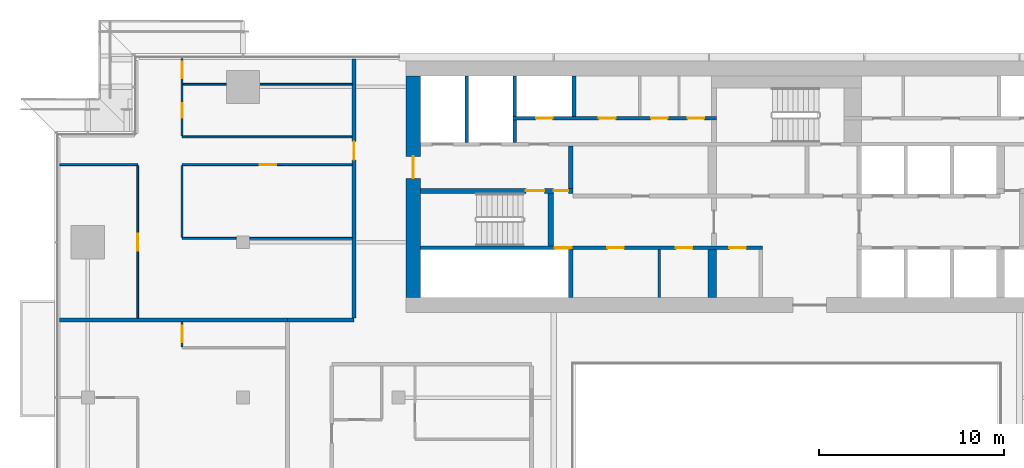
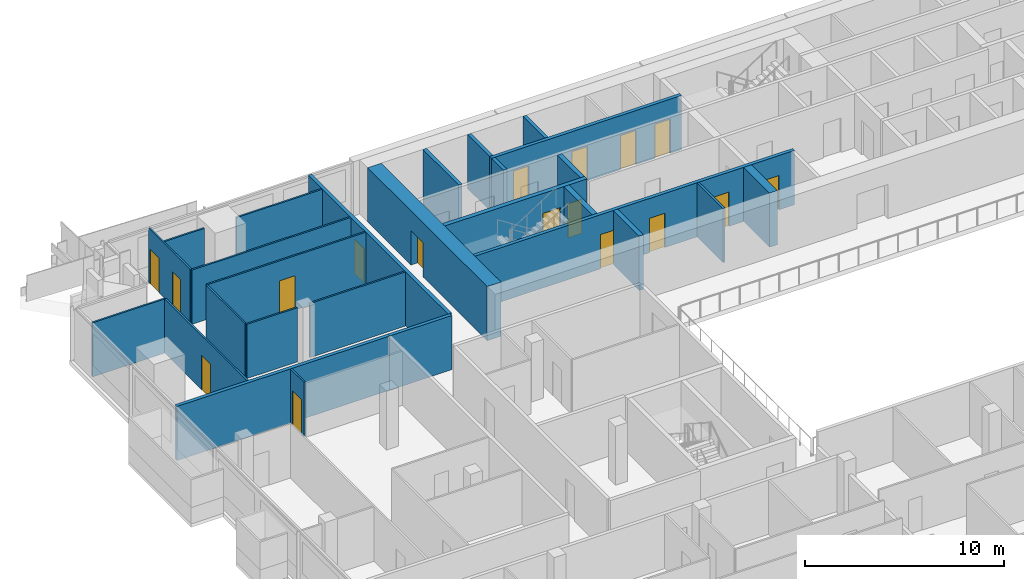
# One storey, part 20 of 30: 27 walls, 17 doors, 17 openings.
"""IFC4 building model written with IfcOpenShell, lengths in metres."""

from ifc_helpers import new_model, si_unit, direction, frame, frame_2d, origin, place, context, subcontext, project, spatial, rectangle, extrude, material, layer, layer_set, type_object, element, fill, save


model = new_model("IFC4")

# Units and contexts
model_context = context("Model", 3, precision=1e-05, world=origin(), true_north=direction((0.0, 1.0)))
body_context = subcontext(model_context, "Body", "Model", "MODEL_VIEW")
ifc_project = project(units=[si_unit("LENGTHUNIT", "METRE"), si_unit("AREAUNIT", "SQUARE_METRE"), si_unit("VOLUMEUNIT", "CUBIC_METRE"), si_unit("PLANEANGLEUNIT", "RADIAN"), si_unit("MASSUNIT", "GRAM", prefix="KILO")], contexts=[model_context])

# Site, building, storey
site_placement = place(None, origin())
site = spatial("IfcSite", under=ifc_project, at=site_placement, CompositionType="ELEMENT")
building_placement = place(site_placement, origin())
building = spatial("IfcBuilding", under=site, at=building_placement, Name="Saffron Gate Tower", CompositionType="ELEMENT")
storey_placement = place(building_placement, frame((0.0, 0.0, 158.25)))
storey = spatial("IfcBuildingStorey", under=building, at=storey_placement, Name="L38", CompositionType="ELEMENT", Elevation=158.25)

# Wall, opening, door
ifc_material_1 = material(Name="Concrete C60", Category="concrete")
ifc_layer_1 = layer(ifc_material_1, 0.800048828125)
ifc_layer_set_1 = layer_set([ifc_layer_1], Name="CW13 RC core wall 800 C60")
wall_type_1 = type_object("IfcWallType", Name="CW13 RC core wall 800 C60", PredefinedType="SOLIDWALL", material=ifc_layer_set_1)
wall_1_placement = place(storey_placement, frame((67.39990234375, 62.39990234375, 0.0), z_axis=(0.0, 0.0, 1.0), x_axis=(0.0, 1.0, 0.0)))
wall_1 = element("IfcWall", 1, at=wall_1_placement, inside=storey, type_object=wall_type_1, Name="Wall CW13-L38-3", PredefinedType="SOLIDWALL", context=body_context, shape_type="SweptSolid", body=[
    extrude(rectangle(XDim=12.0, YDim=0.800048828125, at=frame_2d((6.0, 0.0))), origin(), (0.0, 0.0, 1.0), 3.320068359375),
])
opening_1_placement = place(wall_1_placement, frame((6.449951171875, 0.0, 0.0)))
opening_1 = element("IfcOpeningElement", 2, at=opening_1_placement, cuts=wall_1, Name="Opening CR-10", PredefinedType="OPENING", context=body_context, shape_type="SweptSolid", body=[
    extrude(rectangle(XDim=1.199951171875, YDim=2.10009765625, at=frame_2d((0.60009765625, 1.050048828125))), frame((0.0, 0.41015625, 0.0), z_axis=(0.0, -1.0, 0.0), x_axis=(1.0, 0.0, 0.0)), (0.0, 0.0, 1.0), 0.820068359375),
])
ifc_material_2 = material(Name="Steel fire door set", Category="steel")
door_type_1 = type_object("IfcDoorType", Name="CD7 Core entrance door 1200x2100 EI 120", OperationType="NOTDEFINED", PredefinedType="DOOR", material=ifc_material_2)
door_1_placement = place(opening_1_placement, origin())
door_1 = element("IfcDoor", 3, at=door_1_placement, inside=storey, type_object=door_type_1, Name="DOOR CR-10", OperationType="SINGLE_SWING_LEFT", OverallHeight=2.10009765625, OverallWidth=1.199951171875, PredefinedType="DOOR", context=body_context, shape_type="SweptSolid", body=[
    extrude(rectangle(XDim=1.199951171875, YDim=2.10009765625, at=frame_2d((0.60009765625, 1.050048828125))), frame((0.0, 0.02490234375, 0.0), z_axis=(0.0, -1.0, 0.0), x_axis=(1.0, 0.0, 0.0)), (0.0, 0.0, 1.0), 0.050048828125),
])
fill(opening_1, door_1)

# Wall
ifc_layer_2 = layer(ifc_material_1, 0.25)
ifc_layer_set_2 = layer_set([ifc_layer_2], Name="CW14 RC core wall 250 C60")
wall_type_2 = type_object("IfcWallType", Name="CW14 RC core wall 250 C60", PredefinedType="SOLIDWALL", material=ifc_layer_set_2)
wall_2_placement = place(storey_placement, frame((75.925048828125, 62.39990234375, 0.0), z_axis=(0.0, 0.0, 1.0), x_axis=(0.0, 1.0, 0.0)))
element("IfcWall", 4, at=wall_2_placement, inside=storey, type_object=wall_type_2, Name="Wall CW14-L38-5", PredefinedType="SOLIDWALL", context=body_context, shape_type="SweptSolid", body=[
    extrude(rectangle(XDim=2.60009765625, YDim=0.25, at=frame_2d((1.300048828125, 0.0))), origin(), (0.0, 0.0, 1.0), 3.320068359375),
])

# Wall, openings, doors
wall_3_placement = place(storey_placement, frame((67.800048828125, 68.175048828125, 0.0), z_axis=(0.0, 0.0, 1.0), x_axis=(1.0, 0.0, 0.0)))
wall_3 = element("IfcWall", 5, at=wall_3_placement, inside=storey, type_object=wall_type_2, Name="Wall CW14-L38-26", PredefinedType="SOLIDWALL", context=body_context, shape_type="SweptSolid", body=[
    extrude(rectangle(XDim=8.25, YDim=0.25, at=frame_2d((4.125, 0.0))), origin(), (0.0, 0.0, 1.0), 3.320068359375),
])
opening_2_placement = place(wall_3_placement, frame((5.699951171875, 0.0, 0.0)))
opening_2 = element("IfcOpeningElement", 6, at=opening_2_placement, cuts=wall_3, Name="Opening CR-15", PredefinedType="OPENING", context=body_context, shape_type="SweptSolid", body=[
    extrude(rectangle(XDim=1.0, YDim=2.10009765625, at=frame_2d((0.5, 1.050048828125))), frame((0.0, 0.135009765625, 0.0), z_axis=(0.0, -1.0, 0.0), x_axis=(1.0, 0.0, 0.0)), (0.0, 0.0, 1.0), 0.27001953125),
])
opening_3_placement = place(wall_3_placement, frame((7.199951171875, 0.0, 0.0)))
opening_3 = element("IfcOpeningElement", 7, at=opening_3_placement, cuts=wall_3, Name="Opening CR-06", PredefinedType="OPENING", context=body_context, shape_type="SweptSolid", body=[
    extrude(rectangle(XDim=0.800048828125, YDim=2.10009765625, at=frame_2d((0.39990234375, 1.050048828125))), frame((0.0, 0.135009765625, 0.0), z_axis=(0.0, -1.0, 0.0), x_axis=(1.0, 0.0, 0.0)), (0.0, 0.0, 1.0), 0.27001953125),
])
door_type_2 = type_object("IfcDoorType", Name="CD5 Stair door 1000x2100 EI 120", OperationType="NOTDEFINED", PredefinedType="DOOR", material=ifc_material_2)
door_2_placement = place(opening_2_placement, origin())
door_2 = element("IfcDoor", 8, at=door_2_placement, inside=storey, type_object=door_type_2, Name="DOOR CR-15", OperationType="SINGLE_SWING_RIGHT", OverallHeight=2.10009765625, OverallWidth=1.0, PredefinedType="DOOR", context=body_context, shape_type="SweptSolid", body=[
    extrude(rectangle(XDim=1.0, YDim=2.10009765625, at=frame_2d((0.5, 1.050048828125))), frame((0.0, 0.02490234375, 0.0), z_axis=(0.0, -1.0, 0.0), x_axis=(1.0, 0.0, 0.0)), (0.0, 0.0, 1.0), 0.050048828125),
])
fill(opening_2, door_2)
door_type_3 = type_object("IfcDoorType", Name="CD6 Lobby door 800x2100 EI 120", OperationType="NOTDEFINED", PredefinedType="DOOR", material=ifc_material_2)
door_3_placement = place(opening_3_placement, origin())
door_3 = element("IfcDoor", 9, at=door_3_placement, inside=storey, type_object=door_type_3, Name="DOOR CR-06", OperationType="SINGLE_SWING_LEFT", OverallHeight=2.10009765625, OverallWidth=0.800048828125, PredefinedType="DOOR", context=body_context, shape_type="SweptSolid", body=[
    extrude(rectangle(XDim=0.800048828125, YDim=2.10009765625, at=frame_2d((0.39990234375, 1.050048828125))), frame((0.0, 0.02490234375, 0.0), z_axis=(0.0, -1.0, 0.0), x_axis=(1.0, 0.0, 0.0)), (0.0, 0.0, 1.0), 0.050048828125),
])
fill(opening_3, door_3)

# Wall
wall_4_placement = place(storey_placement, frame((75.925048828125, 68.300048828125, 0.0), z_axis=(0.0, 0.0, 1.0), x_axis=(0.0, 1.0, 0.0)))
element("IfcWall", 10, at=wall_4_placement, inside=storey, type_object=wall_type_2, Name="Wall CW14-L38-28", PredefinedType="SOLIDWALL", context=body_context, shape_type="SweptSolid", body=[
    extrude(rectangle(XDim=2.300048828125, YDim=0.25, at=frame_2d((1.14990234375, 0.0))), origin(), (0.0, 0.0, 1.0), 3.320068359375),
])

# Wall, openings, doors
ifc_layer_3 = layer(ifc_material_1, 0.199951171875)
ifc_layer_set_3 = layer_set([ifc_layer_3], Name="CW15 RC core wall 200 C60")
wall_type_3 = type_object("IfcWallType", Name="CW15 RC core wall 200 C60", PredefinedType="SOLIDWALL", material=ifc_layer_set_3)
wall_5_placement = place(storey_placement, frame((67.800048828125, 65.10009765625, 0.0), z_axis=(0.0, 0.0, 1.0), x_axis=(1.0, 0.0, 0.0)))
wall_5 = element("IfcWall", 11, at=wall_5_placement, inside=storey, type_object=wall_type_3, Name="Wall CW15-L38-13", PredefinedType="SOLIDWALL", context=body_context, shape_type="SweptSolid", body=[
    extrude(rectangle(XDim=18.5, YDim=0.199951171875, at=frame_2d((9.25, 0.0))), origin(), (0.0, 0.0, 1.0), 3.320068359375),
])
opening_4_placement = place(wall_5_placement, frame((7.27001953125, 0.0, 0.0)))
opening_4 = element("IfcOpeningElement", 12, at=opening_4_placement, cuts=wall_5, Name="Opening CR-49", PredefinedType="OPENING", context=body_context, shape_type="SweptSolid", body=[
    extrude(rectangle(XDim=0.89990234375, YDim=2.10009765625, at=frame_2d((0.449951171875, 1.050048828125))), frame((0.0, 0.10986328125, 0.0), z_axis=(0.0, -1.0, 0.0), x_axis=(1.0, 0.0, 0.0)), (0.0, 0.0, 1.0), 0.219970703125),
])
opening_5_placement = place(wall_5_placement, frame((10.10009765625, 0.0, 0.0)))
opening_5 = element("IfcOpeningElement", 13, at=opening_5_placement, cuts=wall_5, Name="Opening CR-64", PredefinedType="OPENING", context=body_context, shape_type="SweptSolid", body=[
    extrude(rectangle(XDim=0.89990234375, YDim=2.10009765625, at=frame_2d((0.449951171875, 1.050048828125))), frame((0.0, 0.10986328125, 0.0), z_axis=(0.0, -1.0, 0.0), x_axis=(1.0, 0.0, 0.0)), (0.0, 0.0, 1.0), 0.219970703125),
])
opening_6_placement = place(wall_5_placement, frame((13.81005859375, 0.0, 0.0)))
opening_6 = element("IfcOpeningElement", 14, at=opening_6_placement, cuts=wall_5, Name="Opening CR-65", PredefinedType="OPENING", context=body_context, shape_type="SweptSolid", body=[
    extrude(rectangle(XDim=0.89990234375, YDim=2.10009765625, at=frame_2d((0.449951171875, 1.050048828125))), frame((0.0, 0.10986328125, 0.0), z_axis=(0.0, -1.0, 0.0), x_axis=(1.0, 0.0, 0.0)), (0.0, 0.0, 1.0), 0.219970703125),
])
opening_7_placement = place(wall_5_placement, frame((16.699951171875, 0.0, 0.0)))
opening_7 = element("IfcOpeningElement", 15, at=opening_7_placement, cuts=wall_5, Name="Opening CR-69", PredefinedType="OPENING", context=body_context, shape_type="SweptSolid", body=[
    extrude(rectangle(XDim=0.89990234375, YDim=2.10009765625, at=frame_2d((0.449951171875, 1.050048828125))), frame((0.0, 0.10986328125, 0.0), z_axis=(0.0, -1.0, 0.0), x_axis=(1.0, 0.0, 0.0)), (0.0, 0.0, 1.0), 0.219970703125),
])
door_type_4 = type_object("IfcDoorType", Name="CD2 Riser door 900x2100 EI 60", OperationType="NOTDEFINED", PredefinedType="DOOR", material=ifc_material_2)
door_4_placement = place(opening_4_placement, origin())
door_4 = element("IfcDoor", 16, at=door_4_placement, inside=storey, type_object=door_type_4, Name="DOOR CR-49", OperationType="SINGLE_SWING_LEFT", OverallHeight=2.10009765625, OverallWidth=0.89990234375, PredefinedType="DOOR", context=body_context, shape_type="SweptSolid", body=[
    extrude(rectangle(XDim=0.89990234375, YDim=2.10009765625, at=frame_2d((0.449951171875, 1.050048828125))), frame((0.0, 0.02490234375, 0.0), z_axis=(0.0, -1.0, 0.0), x_axis=(1.0, 0.0, 0.0)), (0.0, 0.0, 1.0), 0.050048828125),
])
fill(opening_4, door_4)
door_type_5 = type_object("IfcDoorType", Name="CD9 Room door 900x2100 EI 60", OperationType="NOTDEFINED", PredefinedType="DOOR", material=ifc_material_2)
door_5_placement = place(opening_5_placement, origin())
door_5 = element("IfcDoor", 17, at=door_5_placement, inside=storey, type_object=door_type_5, Name="DOOR CR-64", OperationType="SINGLE_SWING_RIGHT", OverallHeight=2.10009765625, OverallWidth=0.89990234375, PredefinedType="DOOR", context=body_context, shape_type="SweptSolid", body=[
    extrude(rectangle(XDim=0.89990234375, YDim=2.10009765625, at=frame_2d((0.449951171875, 1.050048828125))), frame((0.0, 0.02490234375, 0.0), z_axis=(0.0, -1.0, 0.0), x_axis=(1.0, 0.0, 0.0)), (0.0, 0.0, 1.0), 0.050048828125),
])
fill(opening_5, door_5)
door_6_placement = place(opening_6_placement, origin())
door_6 = element("IfcDoor", 18, at=door_6_placement, inside=storey, type_object=door_type_5, Name="DOOR CR-65", OperationType="SINGLE_SWING_RIGHT", OverallHeight=2.10009765625, OverallWidth=0.89990234375, PredefinedType="DOOR", context=body_context, shape_type="SweptSolid", body=[
    extrude(rectangle(XDim=0.89990234375, YDim=2.10009765625, at=frame_2d((0.449951171875, 1.050048828125))), frame((0.0, 0.02490234375, 0.0), z_axis=(0.0, -1.0, 0.0), x_axis=(1.0, 0.0, 0.0)), (0.0, 0.0, 1.0), 0.050048828125),
])
fill(opening_6, door_6)
door_7_placement = place(opening_7_placement, origin())
door_7 = element("IfcDoor", 19, at=door_7_placement, inside=storey, type_object=door_type_5, Name="DOOR CR-69", OperationType="SINGLE_SWING_RIGHT", OverallHeight=2.10009765625, OverallWidth=0.89990234375, PredefinedType="DOOR", context=body_context, shape_type="SweptSolid", body=[
    extrude(rectangle(XDim=0.89990234375, YDim=2.10009765625, at=frame_2d((0.449951171875, 1.050048828125))), frame((0.0, 0.02490234375, 0.0), z_axis=(0.0, -1.0, 0.0), x_axis=(1.0, 0.0, 0.0)), (0.0, 0.0, 1.0), 0.050048828125),
])
fill(opening_7, door_7)

# Walls
wall_6_placement = place(storey_placement, frame((70.300048828125, 70.800048828125, 0.0), z_axis=(0.0, 0.0, 1.0), x_axis=(0.0, 1.0, 0.0)))
element("IfcWall", 20, at=wall_6_placement, inside=storey, type_object=wall_type_3, Name="Wall CW15-L38-31", PredefinedType="SOLIDWALL", context=body_context, shape_type="SweptSolid", body=[
    extrude(rectangle(XDim=3.599853515625, YDim=0.199951171875, at=frame_2d((1.7998046875, 0.0))), origin(), (0.0, 0.0, 1.0), 3.320068359375),
])
wall_7_placement = place(storey_placement, frame((72.89990234375, 70.800048828125, 0.0), z_axis=(0.0, 0.0, 1.0), x_axis=(0.0, 1.0, 0.0)))
element("IfcWall", 21, at=wall_7_placement, inside=storey, type_object=wall_type_3, Name="Wall CW15-L38-32", PredefinedType="SOLIDWALL", context=body_context, shape_type="SweptSolid", body=[
    extrude(rectangle(XDim=1.199951171875, YDim=0.199951171875, at=frame_2d((0.60009765625, 0.0))), origin(), (0.0, 0.0, 1.0), 3.320068359375),
])

# Wall, openings, doors
wall_8_placement = place(storey_placement, frame((72.800048828125, 72.10009765625, 0.0), z_axis=(0.0, 0.0, 1.0), x_axis=(1.0, 0.0, 0.0)))
wall_8 = element("IfcWall", 22, at=wall_8_placement, inside=storey, type_object=wall_type_3, Name="Wall CW15-L38-37", PredefinedType="SOLIDWALL", context=body_context, shape_type="SweptSolid", body=[
    extrude(rectangle(XDim=11.0, YDim=0.199951171875, at=frame_2d((5.5, 0.0))), origin(), (0.0, 0.0, 1.0), 3.320068359375),
])
opening_8_placement = place(wall_8_placement, frame((1.25, 0.0, 0.0)))
opening_8 = element("IfcOpeningElement", 23, at=opening_8_placement, cuts=wall_8, Name="Opening CR-71", PredefinedType="OPENING", context=body_context, shape_type="SweptSolid", body=[
    extrude(rectangle(XDim=0.89990234375, YDim=2.10009765625, at=frame_2d((0.449951171875, 1.050048828125))), frame((0.0, 0.10986328125, 0.0), z_axis=(0.0, -1.0, 0.0), x_axis=(1.0, 0.0, 0.0)), (0.0, 0.0, 1.0), 0.219970703125),
])
opening_9_placement = place(wall_8_placement, frame((4.64990234375, 0.0, 0.0)))
opening_9 = element("IfcOpeningElement", 24, at=opening_9_placement, cuts=wall_8, Name="Opening CR-55", PredefinedType="OPENING", context=body_context, shape_type="SweptSolid", body=[
    extrude(rectangle(XDim=0.89990234375, YDim=2.10009765625, at=frame_2d((0.449951171875, 1.050048828125))), frame((0.0, 0.10986328125, 0.0), z_axis=(0.0, -1.0, 0.0), x_axis=(1.0, 0.0, 0.0)), (0.0, 0.0, 1.0), 0.219970703125),
])
opening_10_placement = place(wall_8_placement, frame((7.469970703125, 0.0, 0.0)))
opening_10 = element("IfcOpeningElement", 25, at=opening_10_placement, cuts=wall_8, Name="Opening CR-58", PredefinedType="OPENING", context=body_context, shape_type="SweptSolid", body=[
    extrude(rectangle(XDim=0.89990234375, YDim=2.10009765625, at=frame_2d((0.449951171875, 1.050048828125))), frame((0.0, 0.10986328125, 0.0), z_axis=(0.0, -1.0, 0.0), x_axis=(1.0, 0.0, 0.0)), (0.0, 0.0, 1.0), 0.219970703125),
])
opening_11_placement = place(wall_8_placement, frame((9.445068359375, 0.0, 0.0)))
opening_11 = element("IfcOpeningElement", 26, at=opening_11_placement, cuts=wall_8, Name="Opening CR-59", PredefinedType="OPENING", context=body_context, shape_type="SweptSolid", body=[
    extrude(rectangle(XDim=0.89990234375, YDim=2.10009765625, at=frame_2d((0.449951171875, 1.050048828125))), frame((0.0, 0.10986328125, 0.0), z_axis=(0.0, -1.0, 0.0), x_axis=(1.0, 0.0, 0.0)), (0.0, 0.0, 1.0), 0.219970703125),
])
door_8_placement = place(opening_8_placement, origin())
door_8 = element("IfcDoor", 27, at=door_8_placement, inside=storey, type_object=door_type_4, Name="DOOR CR-71", OperationType="SINGLE_SWING_LEFT", OverallHeight=2.10009765625, OverallWidth=0.89990234375, PredefinedType="DOOR", context=body_context, shape_type="SweptSolid", body=[
    extrude(rectangle(XDim=0.89990234375, YDim=2.10009765625, at=frame_2d((0.449951171875, 1.050048828125))), frame((0.0, 0.02490234375, 0.0), z_axis=(0.0, -1.0, 0.0), x_axis=(1.0, 0.0, 0.0)), (0.0, 0.0, 1.0), 0.050048828125),
])
fill(opening_8, door_8)
door_9_placement = place(opening_9_placement, origin())
door_9 = element("IfcDoor", 28, at=door_9_placement, inside=storey, type_object=door_type_5, Name="DOOR CR-55", OperationType="SINGLE_SWING_LEFT", OverallHeight=2.10009765625, OverallWidth=0.89990234375, PredefinedType="DOOR", context=body_context, shape_type="SweptSolid", body=[
    extrude(rectangle(XDim=0.89990234375, YDim=2.10009765625, at=frame_2d((0.449951171875, 1.050048828125))), frame((0.0, 0.02490234375, 0.0), z_axis=(0.0, -1.0, 0.0), x_axis=(1.0, 0.0, 0.0)), (0.0, 0.0, 1.0), 0.050048828125),
])
fill(opening_9, door_9)
door_10_placement = place(opening_10_placement, origin())
door_10 = element("IfcDoor", 29, at=door_10_placement, inside=storey, type_object=door_type_5, Name="DOOR CR-58", OperationType="SINGLE_SWING_LEFT", OverallHeight=2.10009765625, OverallWidth=0.89990234375, PredefinedType="DOOR", context=body_context, shape_type="SweptSolid", body=[
    extrude(rectangle(XDim=0.89990234375, YDim=2.10009765625, at=frame_2d((0.449951171875, 1.050048828125))), frame((0.0, 0.02490234375, 0.0), z_axis=(0.0, -1.0, 0.0), x_axis=(1.0, 0.0, 0.0)), (0.0, 0.0, 1.0), 0.050048828125),
])
fill(opening_10, door_10)
door_11_placement = place(opening_11_placement, origin())
door_11 = element("IfcDoor", 30, at=door_11_placement, inside=storey, type_object=door_type_5, Name="DOOR CR-59", OperationType="SINGLE_SWING_LEFT", OverallHeight=2.10009765625, OverallWidth=0.89990234375, PredefinedType="DOOR", context=body_context, shape_type="SweptSolid", body=[
    extrude(rectangle(XDim=0.89990234375, YDim=2.10009765625, at=frame_2d((0.449951171875, 1.050048828125))), frame((0.0, 0.02490234375, 0.0), z_axis=(0.0, -1.0, 0.0), x_axis=(1.0, 0.0, 0.0)), (0.0, 0.0, 1.0), 0.050048828125),
])
fill(opening_11, door_11)

# Walls
for number, where, z_axis, x_axis, name in (
    (31, (72.89990234375, 72.199951171875, 0.0), (0.0, 0.0, 1.0), (0.0, 1.0, 0.0), "Wall CW15-L38-39"),
    (32, (76.10009765625, 72.199951171875, 0.0), (0.0, 0.0, 1.0), (0.0, 1.0, 0.0), "Wall CW15-L38-40"),
):
    element("IfcWall", number, at=place(storey_placement, frame(where, z_axis=z_axis, x_axis=x_axis)), inside=storey, type_object=wall_type_3, Name=name, PredefinedType="SOLIDWALL", context=body_context, shape_type="SweptSolid", body=[
        extrude(rectangle(XDim=2.199951171875, YDim=0.199951171875, at=frame_2d((1.10009765625, 0.0))), origin(), (0.0, 0.0, 1.0), 3.320068359375),
    ])
ifc_layer_4 = layer(ifc_material_1, 0.449951171875)
ifc_layer_set_4 = layer_set([ifc_layer_4], Name="CW16 RC core wall 450 C60")
wall_type_4 = type_object("IfcWallType", Name="CW16 RC core wall 450 C60", PredefinedType="SOLIDWALL", material=ifc_layer_set_4)
wall_9_placement = place(storey_placement, frame((83.574951171875, 62.39990234375, 0.0), z_axis=(0.0, 0.0, 1.0), x_axis=(0.0, 1.0, 0.0)))
element("IfcWall", 33, at=wall_9_placement, inside=storey, type_object=wall_type_4, Name="Wall CW16-L38-7", PredefinedType="SOLIDWALL", context=body_context, shape_type="SweptSolid", body=[
    extrude(rectangle(XDim=2.60009765625, YDim=0.449951171875, at=frame_2d((1.300048828125, 0.0))), origin(), (0.0, 0.0, 1.0), 3.320068359375),
])
ifc_layer_5 = layer(ifc_material_1, 0.300048828125)
ifc_layer_set_5 = layer_set([ifc_layer_5], Name="CW17 RC core wall 300 C60")
wall_type_5 = type_object("IfcWallType", Name="CW17 RC core wall 300 C60", PredefinedType="SOLIDWALL", material=ifc_layer_set_5)
wall_10_placement = place(storey_placement, frame((74.85009765625, 65.199951171875, 0.0), z_axis=(0.0, 0.0, 1.0), x_axis=(0.0, 1.0, 0.0)))
element("IfcWall", 34, at=wall_10_placement, inside=storey, type_object=wall_type_5, Name="Wall CW17-L38-15", PredefinedType="SOLIDWALL", context=body_context, shape_type="SweptSolid", body=[
    extrude(rectangle(XDim=2.85009765625, YDim=0.300048828125, at=frame_2d((1.425048828125, 0.0))), origin(), (0.0, 0.0, 1.0), 3.320068359375),
])
ifc_material_3 = material(Name="Gypsum board partition on steel studs", Category="steel")
ifc_layer_6 = layer(ifc_material_3, 0.1201171875)
ifc_layer_set_6 = layer_set([ifc_layer_6], Name="CW8 Core partition 120")
wall_type_6 = type_object("IfcWallType", Name="CW8 Core partition 120", PredefinedType="PARTITIONING", material=ifc_layer_set_6)
wall_11_placement = place(storey_placement, frame((80.7099609375, 62.39990234375, 0.0), z_axis=(0.0, 0.0, 1.0), x_axis=(0.0, 1.0, 0.0)))
element("IfcWall", 35, at=wall_11_placement, inside=storey, type_object=wall_type_6, Name="Wall CW8-L38-6", PredefinedType="PARTITIONING", context=body_context, shape_type="SweptSolid", body=[
    extrude(rectangle(XDim=2.60009765625, YDim=0.1201171875, at=frame_2d((1.300048828125, 0.0))), origin(), (0.0, 0.0, 1.0), 3.320068359375),
])
ifc_material_4 = material(Name="Plasterboard on steel studs", Category="steel")
ifc_layer_7 = layer(ifc_material_4, 0.10009765625)
ifc_layer_set_7 = layer_set([ifc_layer_7], Name="PW1 Partition 100")
wall_type_7 = type_object("IfcWallType", Name="PW1 Partition 100", PredefinedType="PARTITIONING", material=ifc_layer_set_7)
wall_12_placement = place(storey_placement, frame((54.89990234375, 65.608642578125, 0.0), z_axis=(0.0, 0.0, 1.0), x_axis=(1.0, 0.0, 0.0)))
element("IfcWall", 36, at=wall_12_placement, inside=storey, type_object=wall_type_7, Name="Partition C2-49", PredefinedType="PARTITIONING", context=body_context, shape_type="SweptSolid", body=[
    extrude(rectangle(XDim=2.93017578125, YDim=0.10009765625, at=frame_2d((1.465087890625, 0.0))), origin(), (0.0, 0.0, 1.0), 3.320068359375),
])
wall_13_placement = place(storey_placement, frame((58.570068359375, 65.608642578125, 0.0), z_axis=(0.0, 0.0, 1.0), x_axis=(1.0, 0.0, 0.0)))
element("IfcWall", 37, at=wall_13_placement, inside=storey, type_object=wall_type_7, Name="Partition C2-50", PredefinedType="PARTITIONING", context=body_context, shape_type="SweptSolid", body=[
    extrude(rectangle(XDim=5.530029296875, YDim=0.10009765625, at=frame_2d((2.76513671875, 0.0))), origin(), (0.0, 0.0, 1.0), 3.320068359375),
])
wall_14_placement = place(storey_placement, frame((48.280029296875, 69.60009765625, 0.0), z_axis=(0.0, 0.0, 1.0), x_axis=(1.0, 0.0, 0.0)))
element("IfcWall", 38, at=wall_14_placement, inside=storey, type_object=wall_type_7, Name="Partition C2-52", PredefinedType="PARTITIONING", context=body_context, shape_type="SweptSolid", body=[
    extrude(rectangle(XDim=4.219970703125, YDim=0.10009765625, at=frame_2d((2.10986328125, 0.0))), origin(), (0.0, 0.0, 1.0), 3.320068359375),
])

# Wall, opening, door
wall_15_placement = place(storey_placement, frame((64.10009765625, 69.60009765625, 0.0), z_axis=(0.0, 0.0, 1.0), x_axis=(-1.0, 0.0, 0.0)))
wall_15 = element("IfcWall", 39, at=wall_15_placement, inside=storey, type_object=wall_type_7, Name="Partition C2-53", PredefinedType="PARTITIONING", context=body_context, shape_type="SweptSolid", body=[
    extrude(rectangle(XDim=9.2001953125, YDim=0.10009765625, at=frame_2d((4.60009765625, 0.0))), origin(), (0.0, 0.0, 1.0), 3.320068359375),
])
opening_12_placement = place(wall_15_placement, frame((4.10009765625, 0.0, 0.0)))
opening_12 = element("IfcOpeningElement", 40, at=opening_12_placement, cuts=wall_15, Name="Opening C2-29", PredefinedType="OPENING", context=body_context, shape_type="SweptSolid", body=[
    extrude(rectangle(XDim=0.89990234375, YDim=2.10009765625, at=frame_2d((0.449951171875, 1.050048828125))), frame((0.0, 0.06005859375, 0.0), z_axis=(0.0, -1.0, 0.0), x_axis=(1.0, 0.0, 0.0)), (0.0, 0.0, 1.0), 0.1201171875),
])
ifc_material_5 = material(Name="Timber door set", Category="wood")
door_type_6 = type_object("IfcDoorType", Name="RD1 Room door 900x2100", OperationType="NOTDEFINED", PredefinedType="DOOR", material=ifc_material_5)
door_12_placement = place(opening_12_placement, origin())
door_12 = element("IfcDoor", 41, at=door_12_placement, inside=storey, type_object=door_type_6, Name="Door C2-29", OperationType="SINGLE_SWING_LEFT", OverallHeight=2.10009765625, OverallWidth=0.89990234375, PredefinedType="DOOR", context=body_context, shape_type="SweptSolid", body=[
    extrude(rectangle(XDim=0.89990234375, YDim=2.10009765625, at=frame_2d((0.449951171875, 1.050048828125))), frame((0.0, 0.02490234375, 0.0), z_axis=(0.0, -1.0, 0.0), x_axis=(1.0, 0.0, 0.0)), (0.0, 0.0, 1.0), 0.050048828125),
])
fill(opening_12, door_12)

# Walls
wall_16_placement = place(storey_placement, frame((54.89990234375, 71.10009765625, 0.0), z_axis=(0.0, 0.0, 1.0), x_axis=(1.0, 0.0, 0.0)))
element("IfcWall", 42, at=wall_16_placement, inside=storey, type_object=wall_type_7, Name="Partition C2-56", PredefinedType="PARTITIONING", context=body_context, shape_type="SweptSolid", body=[
    extrude(rectangle(XDim=9.2001953125, YDim=0.10009765625, at=frame_2d((4.60009765625, 0.0))), origin(), (0.0, 0.0, 1.0), 3.320068359375),
])
wall_17_placement = place(storey_placement, frame((54.949951171875, 73.949462890625, 0.0), z_axis=(0.0, 0.0, 1.0), x_axis=(1.0, 0.0, 0.0)))
element("IfcWall", 43, at=wall_17_placement, inside=storey, type_object=wall_type_7, Name="Partition C2-60", PredefinedType="PARTITIONING", context=body_context, shape_type="SweptSolid", body=[
    extrude(rectangle(XDim=2.330078125, YDim=0.10009765625, at=frame_2d((1.1650390625, 0.0))), origin(), (0.0, 0.0, 1.0), 3.320068359375),
])
wall_18_placement = place(storey_placement, frame((59.1201171875, 73.949462890625, 0.0), z_axis=(0.0, 0.0, 1.0), x_axis=(1.0, 0.0, 0.0)))
element("IfcWall", 44, at=wall_18_placement, inside=storey, type_object=wall_type_7, Name="Partition C2-61", PredefinedType="PARTITIONING", context=body_context, shape_type="SweptSolid", body=[
    extrude(rectangle(XDim=4.97998046875, YDim=0.10009765625, at=frame_2d((2.489990234375, 0.0))), origin(), (0.0, 0.0, 1.0), 3.320068359375),
])

# Wall, opening, door
wall_19_placement = place(storey_placement, frame((52.5, 61.300048828125, 0.0), z_axis=(0.0, 0.0, 1.0), x_axis=(0.0, 1.0, 0.0)))
wall_19 = element("IfcWall", 45, at=wall_19_placement, inside=storey, type_object=wall_type_7, Name="Partition C2-63", PredefinedType="PARTITIONING", context=body_context, shape_type="SweptSolid", body=[
    extrude(rectangle(XDim=8.25, YDim=0.10009765625, at=frame_2d((4.125, 0.0))), origin(), (0.0, 0.0, 1.0), 3.320068359375),
])
opening_13_placement = place(wall_19_placement, frame((3.64990234375, 0.0, 0.0)))
opening_13 = element("IfcOpeningElement", 46, at=opening_13_placement, cuts=wall_19, Name="Opening C2-28", PredefinedType="OPENING", context=body_context, shape_type="SweptSolid", body=[
    extrude(rectangle(XDim=0.89990234375, YDim=2.10009765625, at=frame_2d((0.449951171875, 1.050048828125))), frame((0.0, 0.06005859375, 0.0), z_axis=(0.0, -1.0, 0.0), x_axis=(1.0, 0.0, 0.0)), (0.0, 0.0, 1.0), 0.1201171875),
])
door_13_placement = place(opening_13_placement, origin())
door_13 = element("IfcDoor", 47, at=door_13_placement, inside=storey, type_object=door_type_6, Name="Door C2-28", OperationType="SINGLE_SWING_LEFT", OverallHeight=2.10009765625, OverallWidth=0.89990234375, PredefinedType="DOOR", context=body_context, shape_type="SweptSolid", body=[
    extrude(rectangle(XDim=0.89990234375, YDim=2.10009765625, at=frame_2d((0.449951171875, 1.050048828125))), frame((0.0, 0.02490234375, 0.0), z_axis=(0.0, -1.0, 0.0), x_axis=(1.0, 0.0, 0.0)), (0.0, 0.0, 1.0), 0.050048828125),
])
fill(opening_13, door_13)

wall_20_placement = place(storey_placement, frame((54.89990234375, 61.10009765625, 0.0), z_axis=(0.0, 0.0, 1.0), x_axis=(0.0, -1.0, 0.0)))
wall_20 = element("IfcWall", 48, at=wall_20_placement, inside=storey, type_object=wall_type_7, Name="Partition C2-66", PredefinedType="PARTITIONING", context=body_context, shape_type="SweptSolid", body=[
    extrude(rectangle(XDim=1.357177734375, YDim=0.10009765625, at=frame_2d((0.6787109375, 0.0))), origin(), (0.0, 0.0, 1.0), 3.320068359375),
])
opening_14_placement = place(wall_20_placement, frame((0.20361328125, 0.0, 0.0)))
opening_14 = element("IfcOpeningElement", 49, at=opening_14_placement, cuts=wall_20, Name="Opening C2-27", PredefinedType="OPENING", context=body_context, shape_type="SweptSolid", body=[
    extrude(rectangle(XDim=0.89990234375, YDim=2.10009765625, at=frame_2d((0.449951171875, 1.050048828125))), frame((0.0, 0.06005859375, 0.0), z_axis=(0.0, -1.0, 0.0), x_axis=(1.0, 0.0, 0.0)), (0.0, 0.0, 1.0), 0.1201171875),
])
door_14_placement = place(opening_14_placement, origin())
door_14 = element("IfcDoor", 50, at=door_14_placement, inside=storey, type_object=door_type_6, Name="Door C2-27", OperationType="SINGLE_SWING_LEFT", OverallHeight=2.10009765625, OverallWidth=0.89990234375, PredefinedType="DOOR", context=body_context, shape_type="SweptSolid", body=[
    extrude(rectangle(XDim=0.89990234375, YDim=2.10009765625, at=frame_2d((0.449951171875, 1.050048828125))), frame((0.0, 0.02490234375, 0.0), z_axis=(0.0, -1.0, 0.0), x_axis=(1.0, 0.0, 0.0)), (0.0, 0.0, 1.0), 0.050048828125),
])
fill(opening_14, door_14)

# Wall
wall_21_placement = place(storey_placement, frame((54.89990234375, 69.550048828125, 0.0), z_axis=(0.0, 0.0, 1.0), x_axis=(0.0, -1.0, 0.0)))
element("IfcWall", 51, at=wall_21_placement, inside=storey, type_object=wall_type_7, Name="Partition C2-67", PredefinedType="PARTITIONING", context=body_context, shape_type="SweptSolid", body=[
    extrude(rectangle(XDim=3.891357421875, YDim=0.10009765625, at=frame_2d((1.94580078125, 0.0))), origin(), (0.0, 0.0, 1.0), 3.320068359375),
])

# Wall, openings, doors
wall_22_placement = place(storey_placement, frame((54.89990234375, 75.320068359375, 0.0), z_axis=(0.0, 0.0, 1.0), x_axis=(0.0, -1.0, 0.0)))
wall_22 = element("IfcWall", 52, at=wall_22_placement, inside=storey, type_object=wall_type_7, Name="Partition C2-68", PredefinedType="PARTITIONING", context=body_context, shape_type="SweptSolid", body=[
    extrude(rectangle(XDim=4.170166015625, YDim=0.10009765625, at=frame_2d((2.0849609375, 0.0))), origin(), (0.0, 0.0, 1.0), 3.320068359375),
])
opening_15_placement = place(wall_22_placement, frame((0.14990234375, 0.0, 0.0)))
opening_15 = element("IfcOpeningElement", 53, at=opening_15_placement, cuts=wall_22, Name="Opening C2-30", PredefinedType="OPENING", context=body_context, shape_type="SweptSolid", body=[
    extrude(rectangle(XDim=0.89990234375, YDim=2.10009765625, at=frame_2d((0.449951171875, 1.050048828125))), frame((0.0, 0.06005859375, 0.0), z_axis=(0.0, -1.0, 0.0), x_axis=(1.0, 0.0, 0.0)), (0.0, 0.0, 1.0), 0.1201171875),
])
opening_16_placement = place(wall_22_placement, frame((2.395263671875, 0.0, 0.0)))
opening_16 = element("IfcOpeningElement", 54, at=opening_16_placement, cuts=wall_22, Name="Opening C2-47", PredefinedType="OPENING", context=body_context, shape_type="SweptSolid", body=[
    extrude(rectangle(XDim=0.800048828125, YDim=2.10009765625, at=frame_2d((0.39990234375, 1.050048828125))), frame((0.0, 0.06005859375, 0.0), z_axis=(0.0, -1.0, 0.0), x_axis=(1.0, 0.0, 0.0)), (0.0, 0.0, 1.0), 0.1201171875),
])
door_15_placement = place(opening_15_placement, origin())
door_15 = element("IfcDoor", 55, at=door_15_placement, inside=storey, type_object=door_type_6, Name="Door C2-30", OperationType="SINGLE_SWING_LEFT", OverallHeight=2.10009765625, OverallWidth=0.89990234375, PredefinedType="DOOR", context=body_context, shape_type="SweptSolid", body=[
    extrude(rectangle(XDim=0.89990234375, YDim=2.10009765625, at=frame_2d((0.449951171875, 1.050048828125))), frame((0.0, 0.02490234375, 0.0), z_axis=(0.0, -1.0, 0.0), x_axis=(1.0, 0.0, 0.0)), (0.0, 0.0, 1.0), 0.050048828125),
])
fill(opening_15, door_15)
door_type_7 = type_object("IfcDoorType", Name="RD2 Bathroom door 800x2100", OperationType="NOTDEFINED", PredefinedType="DOOR", material=ifc_material_5)
door_16_placement = place(opening_16_placement, origin())
door_16 = element("IfcDoor", 56, at=door_16_placement, inside=storey, type_object=door_type_7, Name="Door C2-47", OperationType="SINGLE_SWING_RIGHT", OverallHeight=2.10009765625, OverallWidth=0.800048828125, PredefinedType="DOOR", context=body_context, shape_type="SweptSolid", body=[
    extrude(rectangle(XDim=0.800048828125, YDim=2.10009765625, at=frame_2d((0.39990234375, 1.050048828125))), frame((0.0, 0.02490234375, 0.0), z_axis=(0.0, -1.0, 0.0), x_axis=(1.0, 0.0, 0.0)), (0.0, 0.0, 1.0), 0.050048828125),
])
fill(opening_16, door_16)

# Walls
ifc_material_6 = material(Name="Clay brick masonry, rendered", Category="masonry")
ifc_layer_8 = layer(ifc_material_6, 0.199951171875)
ifc_layer_set_8 = layer_set([ifc_layer_8], Name="PW2 Demising wall 200")
wall_type_8 = type_object("IfcWallType", Name="PW2 Demising wall 200", PredefinedType="PARTITIONING", material=ifc_layer_set_8)
wall_23_placement = place(storey_placement, frame((48.280029296875, 61.199951171875, 0.0), z_axis=(0.0, 0.0, 1.0), x_axis=(1.0, 0.0, 0.0)))
element("IfcWall", 57, at=wall_23_placement, inside=storey, type_object=wall_type_8, Name="Wall C2-45", PredefinedType="PARTITIONING", context=body_context, shape_type="SweptSolid", body=[
    extrude(rectangle(XDim=12.320068359375, YDim=0.199951171875, at=frame_2d((6.16015625, 0.0))), origin(), (0.0, 0.0, 1.0), 3.320068359375),
])
ifc_layer_9 = layer(ifc_material_6, 0.199951171875)
ifc_layer_set_9 = layer_set([ifc_layer_9], Name="PW3 Corridor wall 200")
wall_type_9 = type_object("IfcWallType", Name="PW3 Corridor wall 200", PredefinedType="PARTITIONING", material=ifc_layer_set_9)
wall_24_placement = place(storey_placement, frame((60.60009765625, 61.199951171875, 0.0), z_axis=(0.0, 0.0, 1.0), x_axis=(1.0, 0.0, 0.0)))
element("IfcWall", 58, at=wall_24_placement, inside=storey, type_object=wall_type_9, Name="Wall C2-43", PredefinedType="PARTITIONING", context=body_context, shape_type="SweptSolid", body=[
    extrude(rectangle(XDim=3.599853515625, YDim=0.199951171875, at=frame_2d((1.7998046875, 0.0))), origin(), (0.0, 0.0, 1.0), 3.320068359375),
])

# Wall, opening, door
wall_25_placement = place(storey_placement, frame((64.199951171875, 61.300048828125, 0.0), z_axis=(0.0, 0.0, 1.0), x_axis=(0.0, 1.0, 0.0)))
wall_25 = element("IfcWall", 59, at=wall_25_placement, inside=storey, type_object=wall_type_9, Name="Wall C2-75", PredefinedType="PARTITIONING", context=body_context, shape_type="SweptSolid", body=[
    extrude(rectangle(XDim=14.02001953125, YDim=0.199951171875, at=frame_2d((7.010009765625, 0.0))), origin(), (0.0, 0.0, 1.0), 3.320068359375),
])
opening_17_placement = place(wall_25_placement, frame((8.550048828125, 0.0, 0.0)))
opening_17 = element("IfcOpeningElement", 60, at=opening_17_placement, cuts=wall_25, Name="Opening C2-5", PredefinedType="OPENING", context=body_context, shape_type="SweptSolid", body=[
    extrude(rectangle(XDim=1.0, YDim=2.10009765625, at=frame_2d((0.5, 1.050048828125))), frame((0.0, 0.10986328125, 0.0), z_axis=(0.0, -1.0, 0.0), x_axis=(1.0, 0.0, 0.0)), (0.0, 0.0, 1.0), 0.219970703125),
])
ifc_material_7 = material(Name="Timber fire door set", Category="wood")
door_type_8 = type_object("IfcDoorType", Name="FD1 Flat entry door 1000x2100", OperationType="NOTDEFINED", PredefinedType="DOOR", material=ifc_material_7)
door_17_placement = place(opening_17_placement, origin())
door_17 = element("IfcDoor", 61, at=door_17_placement, inside=storey, type_object=door_type_8, Name="Door C2-5", OperationType="SINGLE_SWING_LEFT", OverallHeight=2.10009765625, OverallWidth=1.0, PredefinedType="DOOR", context=body_context, shape_type="SweptSolid", body=[
    extrude(rectangle(XDim=1.0, YDim=2.10009765625, at=frame_2d((0.5, 1.050048828125))), frame((0.0, 0.02490234375, 0.0), z_axis=(0.0, -1.0, 0.0), x_axis=(1.0, 0.0, 0.0)), (0.0, 0.0, 1.0), 0.050048828125),
])
fill(opening_17, door_17)

save(model, "model.ifc")
